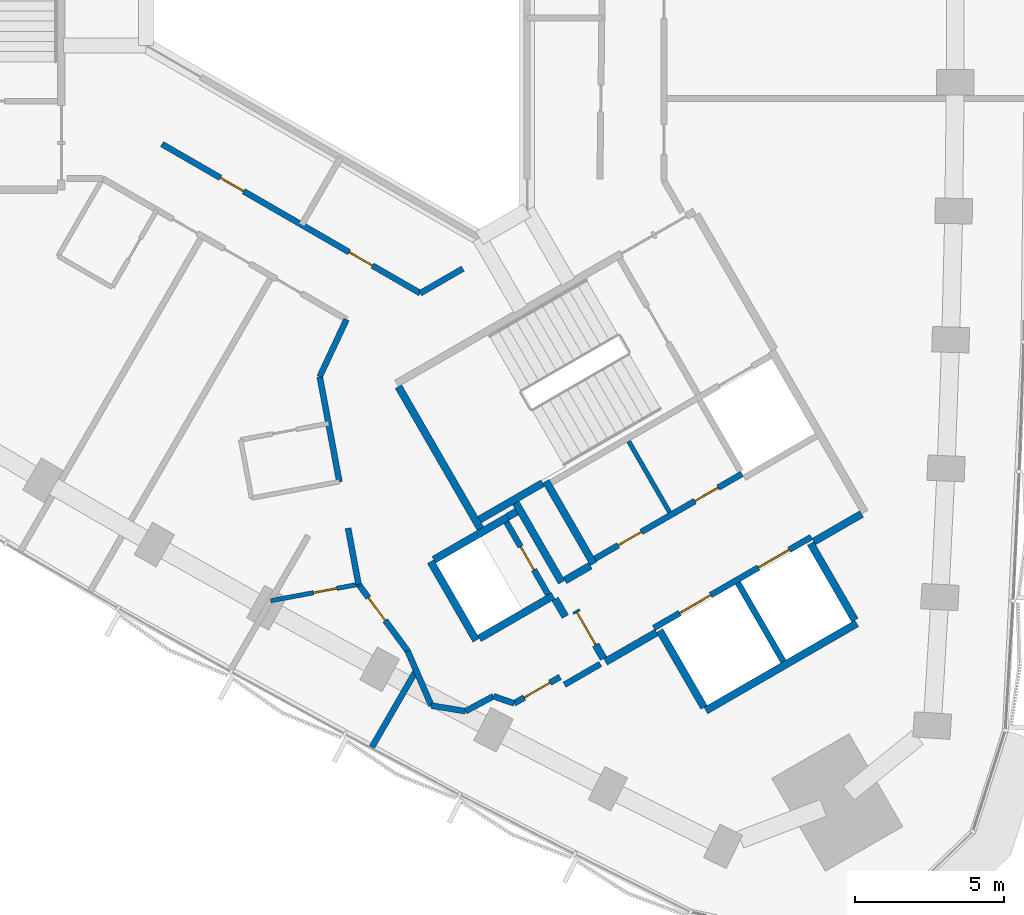
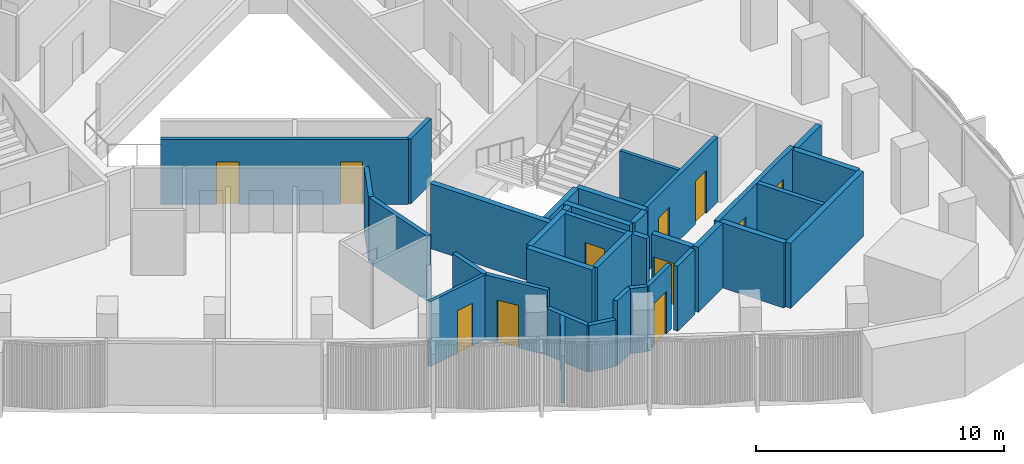
# One storey, part 8 of 14: 35 walls, 11 doors, 11 openings.
"""IFC4 building model written with IfcOpenShell, lengths in metres."""

from ifc_helpers import new_model, si_unit, direction, frame, frame_2d, origin, place, context, subcontext, project, spatial, rectangle, extrude, material, layer, layer_set, type_object, element, fill, save


model = new_model("IFC4")

# Units and contexts
model_context = context("Model", 3, precision=1e-05, world=origin(), true_north=direction((0.0, 1.0)))
body_context = subcontext(model_context, "Body", "Model", "MODEL_VIEW")
ifc_project = project(units=[si_unit("LENGTHUNIT", "METRE"), si_unit("AREAUNIT", "SQUARE_METRE"), si_unit("VOLUMEUNIT", "CUBIC_METRE"), si_unit("PLANEANGLEUNIT", "RADIAN"), si_unit("MASSUNIT", "GRAM", prefix="KILO")], contexts=[model_context])

# Site, building, storey
site_placement = place(None, origin())
site = spatial("IfcSite", under=ifc_project, at=site_placement, CompositionType="ELEMENT")
building_placement = place(site_placement, origin())
building = spatial("IfcBuilding", under=site, at=building_placement, Name="Tamra Quay Hotel Tower", CompositionType="ELEMENT")
storey_placement = place(building_placement, frame((0.0, 0.0, 146.800048828125)))
storey = spatial("IfcBuildingStorey", under=building, at=storey_placement, Name="L36", CompositionType="ELEMENT", Elevation=146.800048828125)

# Wall, openings, doors
ifc_material_1 = material(Name="Concrete M70", Category="concrete")
ifc_layer_1 = layer(ifc_material_1, 0.199951171875)
ifc_layer_set_1 = layer_set([ifc_layer_1], Name="Concrete M70 core wall 200")
wall_type_1 = type_object("IfcWallType", Name="Concrete M70 core wall 200", PredefinedType="SHEAR", material=ifc_layer_set_1)
wall_1_placement = place(storey_placement, frame((9.052490234375, -20.479736328125, 0.0), z_axis=(0.0, 0.0, 1.0), x_axis=(0.866030299012, 0.499991521122, 0.0)))
wall_1 = element("IfcWall", 1, at=wall_1_placement, inside=storey, type_object=wall_type_1, Name="CW2", PredefinedType="SHEAR", context=body_context, shape_type="SweptSolid", body=[
    extrude(rectangle(XDim=6.10009765625, YDim=0.199951171875, at=frame_2d((3.050048828125, 0.0))), origin(), (0.0, 0.0, 1.0), 3.199951171875),
])
opening_1_placement = place(wall_1_placement, frame((1.0, 0.0, 0.0)))
opening_1 = element("IfcOpeningElement", 2, at=opening_1_placement, cuts=wall_1, Name="Opening LD", PredefinedType="OPENING", context=body_context, shape_type="SweptSolid", body=[
    extrude(rectangle(XDim=1.199951171875, YDim=2.10009765625, at=frame_2d((0.60009765625, 1.050048828125))), frame((0.0, 0.10986328125, 0.0), z_axis=(0.0, -1.0, 0.0), x_axis=(1.0, 0.0, 0.0)), (0.0, 0.0, 1.0), 0.219970703125),
])
opening_2_placement = place(wall_1_placement, frame((4.05029296875, 0.0, 0.0)))
opening_2 = element("IfcOpeningElement", 3, at=opening_2_placement, cuts=wall_1, Name="Opening LD", PredefinedType="OPENING", context=body_context, shape_type="SweptSolid", body=[
    extrude(rectangle(XDim=1.199951171875, YDim=2.10009765625, at=frame_2d((0.60009765625, 1.050048828125))), frame((0.0, 0.10986328125, 0.0), z_axis=(0.0, -1.0, 0.0), x_axis=(1.0, 0.0, 0.0)), (0.0, 0.0, 1.0), 0.219970703125),
])
ifc_material_2 = material(Name="Landing door LD 1200 double door sliding")
door_type_1 = type_object("IfcDoorType", Name="Landing door LD 1200 double door sliding", OperationType="DOUBLE_DOOR_SLIDING", PredefinedType="DOOR", material=ifc_material_2)
door_1_placement = place(opening_1_placement, origin())
door_1 = element("IfcDoor", 4, at=door_1_placement, inside=storey, type_object=door_type_1, Name="LD", OperationType="DOUBLE_DOOR_SLIDING", OverallHeight=2.10009765625, OverallWidth=1.199951171875, PredefinedType="DOOR", context=body_context, shape_type="SweptSolid", body=[
    extrude(rectangle(XDim=1.199951171875, YDim=2.10009765625, at=frame_2d((0.60009765625, 1.050048828125))), frame((0.0, 0.02490234375, 0.0), z_axis=(0.0, -1.0, 0.0), x_axis=(1.0, 0.0, 0.0)), (0.0, 0.0, 1.0), 0.050048828125),
])
fill(opening_1, door_1)
door_2_placement = place(opening_2_placement, origin())
door_2 = element("IfcDoor", 5, at=door_2_placement, inside=storey, type_object=door_type_1, Name="LD", OperationType="DOUBLE_DOOR_SLIDING", OverallHeight=2.10009765625, OverallWidth=1.199951171875, PredefinedType="DOOR", context=body_context, shape_type="SweptSolid", body=[
    extrude(rectangle(XDim=1.199951171875, YDim=2.10009765625, at=frame_2d((0.60009765625, 1.050048828125))), frame((0.0, 0.02490234375, 0.0), z_axis=(0.0, -1.0, 0.0), x_axis=(1.0, 0.0, 0.0)), (0.0, 0.0, 1.0), 0.050048828125),
])
fill(opening_2, door_2)

wall_2_placement = place(storey_placement, frame((7.0771484375, -18.156005859375, 0.0), z_axis=(0.0, 0.0, 1.0), x_axis=(0.866038630372, 0.499977090179, 0.0)))
wall_2 = element("IfcWall", 6, at=wall_2_placement, inside=storey, type_object=wall_type_1, Name="CW2", PredefinedType="SHEAR", context=body_context, shape_type="SweptSolid", body=[
    extrude(rectangle(XDim=5.698974609375, YDim=0.199951171875, at=frame_2d((2.849609375, 0.0))), origin(), (0.0, 0.0, 1.0), 3.199951171875),
])
opening_3_placement = place(wall_2_placement, frame((0.89892578125, 0.0, 0.0)))
opening_3 = element("IfcOpeningElement", 7, at=opening_3_placement, cuts=wall_2, Name="Opening D2", PredefinedType="OPENING", context=body_context, shape_type="SweptSolid", body=[
    extrude(rectangle(XDim=0.89990234375, YDim=2.10009765625, at=frame_2d((0.449951171875, 1.050048828125))), frame((0.0, 0.10986328125, 0.0), z_axis=(0.0, -1.0, 0.0), x_axis=(1.0, 0.0, 0.0)), (0.0, 0.0, 1.0), 0.219970703125),
])
opening_4_placement = place(wall_2_placement, frame((3.8740234375, 0.0, 0.0)))
opening_4 = element("IfcOpeningElement", 8, at=opening_4_placement, cuts=wall_2, Name="Opening D2", PredefinedType="OPENING", context=body_context, shape_type="SweptSolid", body=[
    extrude(rectangle(XDim=0.89990234375, YDim=2.10009765625, at=frame_2d((0.449951171875, 1.050048828125))), frame((0.0, 0.10986328125, 0.0), z_axis=(0.0, -1.0, 0.0), x_axis=(1.0, 0.0, 0.0)), (0.0, 0.0, 1.0), 0.219970703125),
])
ifc_material_3 = material(Name="Core door D2 900x2100 LH")
door_type_2 = type_object("IfcDoorType", Name="Core door D2 900x2100 LH", OperationType="NOTDEFINED", PredefinedType="DOOR", material=ifc_material_3)
door_3_placement = place(opening_4_placement, origin())
door_3 = element("IfcDoor", 9, at=door_3_placement, inside=storey, type_object=door_type_2, Name="D2", OperationType="SINGLE_SWING_LEFT", OverallHeight=2.10009765625, OverallWidth=0.89990234375, PredefinedType="DOOR", context=body_context, shape_type="SweptSolid", body=[
    extrude(rectangle(XDim=0.89990234375, YDim=2.10009765625, at=frame_2d((0.449951171875, 1.050048828125))), frame((0.0, 0.02490234375, 0.0), z_axis=(0.0, -1.0, 0.0), x_axis=(1.0, 0.0, 0.0)), (0.0, 0.0, 1.0), 0.050048828125),
])
fill(opening_4, door_3)
ifc_material_4 = material(Name="Core door D2 900x2100 RH")
door_type_3 = type_object("IfcDoorType", Name="Core door D2 900x2100 RH", OperationType="NOTDEFINED", PredefinedType="DOOR", material=ifc_material_4)
door_4_placement = place(opening_3_placement, origin())
door_4 = element("IfcDoor", 10, at=door_4_placement, inside=storey, type_object=door_type_3, Name="D2", OperationType="SINGLE_SWING_RIGHT", OverallHeight=2.10009765625, OverallWidth=0.89990234375, PredefinedType="DOOR", context=body_context, shape_type="SweptSolid", body=[
    extrude(rectangle(XDim=0.89990234375, YDim=2.10009765625, at=frame_2d((0.449951171875, 1.050048828125))), frame((0.0, 0.02490234375, 0.0), z_axis=(0.0, -1.0, 0.0), x_axis=(1.0, 0.0, 0.0)), (0.0, 0.0, 1.0), 0.050048828125),
])
fill(opening_3, door_4)

# Wall
wall_3_placement = place(storey_placement, frame((11.87451171875, -18.967041015625, 0.0), z_axis=(0.0, 0.0, 1.0), x_axis=(0.49998131003, -0.866036194175, 0.0)))
element("IfcWall", 11, at=wall_3_placement, inside=storey, type_object=wall_type_1, Name="CW2", PredefinedType="SHEAR", context=body_context, shape_type="SweptSolid", body=[
    extrude(rectangle(XDim=3.0478515625, YDim=0.199951171875, at=frame_2d((1.52392578125, 0.0))), origin(), (0.0, 0.0, 1.0), 3.199951171875),
])

# Wall, opening, door
wall_4_placement = place(storey_placement, frame((5.50341796875, -19.352294921875, 0.0), z_axis=(0.0, 0.0, 1.0), x_axis=(-0.499986818241, 0.866033014143, 0.0)))
wall_4 = element("IfcWall", 12, at=wall_4_placement, inside=storey, type_object=wall_type_1, Name="CW2", PredefinedType="SHEAR", context=body_context, shape_type="SweptSolid", body=[
    extrude(rectangle(XDim=2.7978515625, YDim=0.199951171875, at=frame_2d((1.39892578125, 0.0))), origin(), (0.0, 0.0, 1.0), 3.199951171875),
])
opening_5_placement = place(wall_4_placement, frame((0.948974609375, 0.0, 0.0)))
opening_5 = element("IfcOpeningElement", 13, at=opening_5_placement, cuts=wall_4, Name="Opening D1", PredefinedType="OPENING", context=body_context, shape_type="SweptSolid", body=[
    extrude(rectangle(XDim=0.89990234375, YDim=2.10009765625, at=frame_2d((0.449951171875, 1.050048828125))), frame((0.0, 0.10986328125, 0.0), z_axis=(0.0, -1.0, 0.0), x_axis=(1.0, 0.0, 0.0)), (0.0, 0.0, 1.0), 0.219970703125),
])
ifc_material_5 = material(Name="Core door D1 900x2100 RH")
door_type_4 = type_object("IfcDoorType", Name="Core door D1 900x2100 RH", OperationType="NOTDEFINED", PredefinedType="DOOR", material=ifc_material_5)
door_5_placement = place(opening_5_placement, origin())
door_5 = element("IfcDoor", 14, at=door_5_placement, inside=storey, type_object=door_type_4, Name="D1", OperationType="SINGLE_SWING_RIGHT", OverallHeight=2.10009765625, OverallWidth=0.89990234375, PredefinedType="DOOR", context=body_context, shape_type="SweptSolid", body=[
    extrude(rectangle(XDim=0.89990234375, YDim=2.10009765625, at=frame_2d((0.449951171875, 1.050048828125))), frame((0.0, 0.02490234375, 0.0), z_axis=(0.0, -1.0, 0.0), x_axis=(1.0, 0.0, 0.0)), (0.0, 0.0, 1.0), 0.050048828125),
])
fill(opening_5, door_5)

# Walls
ifc_layer_2 = layer(ifc_material_1, 0.25)
ifc_layer_set_2 = layer_set([ifc_layer_2], Name="Concrete M70 core wall 250")
wall_type_2 = type_object("IfcWallType", Name="Concrete M70 core wall 250", PredefinedType="SHEAR", material=ifc_layer_set_2)
wall_5_placement = place(storey_placement, frame((15.86474609375, -20.328369140625, 0.0), z_axis=(0.0, 0.0, 1.0), x_axis=(-0.86602852612, -0.499994591916, 0.0)))
element("IfcWall", 15, at=wall_5_placement, inside=storey, type_object=wall_type_2, Name="CW1", PredefinedType="SHEAR", context=body_context, shape_type="SweptSolid", body=[
    extrude(rectangle(XDim=5.85009765625, YDim=0.25, at=frame_2d((2.925048828125, 0.0))), origin(), (0.0, 0.0, 1.0), 3.199951171875),
])
wall_6_placement = place(storey_placement, frame((3.23486328125, -17.15283203125, 0.0), z_axis=(0.0, 0.0, 1.0), x_axis=(-0.500008851346, 0.866020293397, 0.0)))
element("IfcWall", 16, at=wall_6_placement, inside=storey, type_object=wall_type_2, Name="CW1", PredefinedType="SHEAR", context=body_context, shape_type="SweptSolid", body=[
    extrude(rectangle(XDim=5.509765625, YDim=0.25, at=frame_2d((2.7548828125, 0.0))), origin(), (0.0, 0.0, 1.0), 3.199951171875),
])
wall_7_placement = place(storey_placement, frame((7.030517578125, -18.327392578125, 0.0), z_axis=(0.0, 0.0, 1.0), x_axis=(-0.499971222258, 0.866042017984, 0.0)))
element("IfcWall", 17, at=wall_7_placement, inside=storey, type_object=wall_type_2, Name="CW1", PredefinedType="SHEAR", context=body_context, shape_type="SweptSolid", body=[
    extrude(rectangle(XDim=3.199951171875, YDim=0.25, at=frame_2d((1.60009765625, 0.0))), origin(), (0.0, 0.0, 1.0), 3.199951171875),
])
for number, where, z_axis, x_axis, name in (
    (18, (14.314697265625, -17.643798828125, 0.0), (0.0, 0.0, 1.0), (0.500023226632, -0.866011993467, 0.0), "CW1"),
    (19, (10.73583984375, -23.144775390625, 0.0), (0.0, 0.0, 1.0), (-0.500023226632, 0.866011993467, 0.0), "CW1"),
):
    element("IfcWall", number, at=place(storey_placement, frame(where, z_axis=z_axis, x_axis=x_axis)), inside=storey, type_object=wall_type_2, Name=name, PredefinedType="SHEAR", context=body_context, shape_type="SweptSolid", body=[
        extrude(rectangle(XDim=2.974365234375, YDim=0.25, at=frame_2d((1.4873046875, 0.0))), origin(), (0.0, 0.0, 1.0), 3.199951171875),
    ])
wall_8_placement = place(storey_placement, frame((3.085205078125, -20.893798828125, 0.0), z_axis=(0.0, 0.0, 1.0), x_axis=(-0.499978833458, 0.866037623948, 0.0)))
element("IfcWall", 20, at=wall_8_placement, inside=storey, type_object=wall_type_2, Name="CW1", PredefinedType="SHEAR", context=body_context, shape_type="SweptSolid", body=[
    extrude(rectangle(XDim=3.050048828125, YDim=0.25, at=frame_2d((1.52490234375, 0.0))), origin(), (0.0, 0.0, 1.0), 3.199951171875),
])
wall_9_placement = place(storey_placement, frame((1.6689453125, -18.189697265625, 0.0), z_axis=(0.0, 0.0, 1.0), x_axis=(0.866042235819, 0.499970844928, 0.0)))
element("IfcWall", 21, at=wall_9_placement, inside=storey, type_object=wall_type_2, Name="CW1", PredefinedType="SHEAR", context=body_context, shape_type="SweptSolid", body=[
    extrude(rectangle(XDim=2.864501953125, YDim=0.25, at=frame_2d((1.43212890625, 0.0))), origin(), (0.0, 0.0, 1.0), 3.199951171875),
])
wall_10_placement = place(storey_placement, frame((5.6748046875, -19.39892578125, 0.0), z_axis=(0.0, 0.0, 1.0), x_axis=(-0.866026637627, -0.499997862916, 0.0)))
element("IfcWall", 22, at=wall_10_placement, inside=storey, type_object=wall_type_2, Name="CW1", PredefinedType="SHEAR", context=body_context, shape_type="SweptSolid", body=[
    extrude(rectangle(XDim=2.86474609375, YDim=0.25, at=frame_2d((1.432373046875, 0.0))), origin(), (0.0, 0.0, 1.0), 3.199951171875),
])
wall_11_placement = place(storey_placement, frame((4.414306640625, -16.275634765625, 0.0), z_axis=(0.0, 0.0, 1.0), x_axis=(0.500003324108, -0.866023484601, 0.0)))
element("IfcWall", 23, at=wall_11_placement, inside=storey, type_object=wall_type_2, Name="CW1", PredefinedType="SHEAR", context=body_context, shape_type="SweptSolid", body=[
    extrude(rectangle(XDim=3.0849609375, YDim=0.25, at=frame_2d((1.54248046875, 0.0))), origin(), (0.0, 0.0, 1.0), 3.199951171875),
])
wall_12_placement = place(storey_placement, frame((5.322021484375, -15.618896484375, 0.0), z_axis=(0.0, 0.0, 1.0), x_axis=(-0.866026229868, -0.499998569178, 0.0)))
element("IfcWall", 24, at=wall_12_placement, inside=storey, type_object=wall_type_2, Name="CW1", PredefinedType="SHEAR", context=body_context, shape_type="SweptSolid", body=[
    extrude(rectangle(XDim=2.44921875, YDim=0.25, at=frame_2d((1.224609375, 0.0))), origin(), (0.0, 0.0, 1.0), 3.199951171875),
])
wall_13_placement = place(storey_placement, frame((9.139892578125, -20.63134765625, 0.0), z_axis=(0.0, 0.0, 1.0), x_axis=(-0.866043531843, -0.499968599967, 0.0)))
element("IfcWall", 25, at=wall_13_placement, inside=storey, type_object=wall_type_2, Name="CW1", PredefinedType="SHEAR", context=body_context, shape_type="SweptSolid", body=[
    extrude(rectangle(XDim=1.974853515625, YDim=0.25, at=frame_2d((0.9873046875, 0.0))), origin(), (0.0, 0.0, 1.0), 3.199951171875),
])
wall_14_placement = place(storey_placement, frame((16.024658203125, -16.656494140625, 0.0), z_axis=(0.0, 0.0, 1.0), x_axis=(-0.866016279763, -0.500015802937, 0.0)))
element("IfcWall", 26, at=wall_14_placement, inside=storey, type_object=wall_type_2, Name="CW1", PredefinedType="SHEAR", context=body_context, shape_type="SweptSolid", body=[
    extrude(rectangle(XDim=1.84912109375, YDim=0.25, at=frame_2d((0.924560546875, 0.0))), origin(), (0.0, 0.0, 1.0), 3.199951171875),
])

# Wall, opening, door
wall_15_placement = place(storey_placement, frame((7.3671875, -21.51025390625, 0.0), z_axis=(0.0, 0.0, 1.0), x_axis=(-0.499983108224, 0.866035156036, 0.0)))
wall_15 = element("IfcWall", 27, at=wall_15_placement, inside=storey, type_object=wall_type_2, Name="CW1", PredefinedType="SHEAR", context=body_context, shape_type="SweptSolid", body=[
    extrude(rectangle(XDim=1.86474609375, YDim=0.25, at=frame_2d((0.932373046875, 0.0))), origin(), (0.0, 0.0, 1.0), 3.199951171875),
])
opening_6_placement = place(wall_15_placement, frame((0.53466796875, 0.0, 0.0)))
opening_6 = element("IfcOpeningElement", 28, at=opening_6_placement, cuts=wall_15, Name="Opening FD3", PredefinedType="OPENING", context=body_context, shape_type="SweptSolid", body=[
    extrude(rectangle(XDim=1.25, YDim=2.10009765625, at=frame_2d((0.625, 1.050048828125))), frame((0.0, 0.135009765625, 0.0), z_axis=(0.0, -1.0, 0.0), x_axis=(1.0, 0.0, 0.0)), (0.0, 0.0, 1.0), 0.27001953125),
])
ifc_material_6 = material(Name="Core door FD3 1250x2100 LH")
door_type_5 = type_object("IfcDoorType", Name="Core door FD3 1250x2100 LH", OperationType="NOTDEFINED", PredefinedType="DOOR", material=ifc_material_6)
door_6_placement = place(opening_6_placement, origin())
door_6 = element("IfcDoor", 29, at=door_6_placement, inside=storey, type_object=door_type_5, Name="FD3", OperationType="SINGLE_SWING_LEFT", OverallHeight=2.10009765625, OverallWidth=1.25, PredefinedType="DOOR", context=body_context, shape_type="SweptSolid", body=[
    extrude(rectangle(XDim=1.25, YDim=2.10009765625, at=frame_2d((0.625, 1.050048828125))), frame((0.0, 0.02490234375, 0.0), z_axis=(0.0, -1.0, 0.0), x_axis=(1.0, 0.0, 0.0)), (0.0, 0.0, 1.0), 0.050048828125),
])
fill(opening_6, door_6)

# Walls
wall_16_placement = place(storey_placement, frame((6.0654296875, -18.884765625, 0.0), z_axis=(0.0, 0.0, 1.0), x_axis=(0.866017078145, 0.500014420154, 0.0)))
element("IfcWall", 30, at=wall_16_placement, inside=storey, type_object=wall_type_2, Name="CW1", PredefinedType="SHEAR", context=body_context, shape_type="SweptSolid", body=[
    extrude(rectangle(XDim=0.9892578125, YDim=0.25, at=frame_2d((0.49462890625, 0.0))), origin(), (0.0, 0.0, 1.0), 3.199951171875),
])
wall_17_placement = place(storey_placement, frame((6.07958984375, -20.100341796875, 0.0), z_axis=(0.0, 0.0, 1.0), x_axis=(-0.500051773299, 0.865995510393, 0.0)))
element("IfcWall", 31, at=wall_17_placement, inside=storey, type_object=wall_type_2, Name="CW1", PredefinedType="SHEAR", context=body_context, shape_type="SweptSolid", body=[
    extrude(rectangle(XDim=0.6845703125, YDim=0.25, at=frame_2d((0.34228515625, 0.0))), origin(), (0.0, 0.0, 1.0), 3.199951171875),
])
wall_18_placement = place(storey_placement, frame((4.144775390625, -16.748779296875, 0.0), z_axis=(0.0, 0.0, 1.0), x_axis=(0.866185586049, 0.49972245349, 0.0)))
element("IfcWall", 32, at=wall_18_placement, inside=storey, type_object=wall_type_2, Name="CW1", PredefinedType="SHEAR", context=body_context, shape_type="SweptSolid", body=[
    extrude(rectangle(XDim=0.344482421875, YDim=0.25, at=frame_2d((0.17236328125, 0.0))), origin(), (0.0, 0.0, 1.0), 3.199951171875),
])
ifc_material_7 = material(Name="Blockwork", Category="masonry")
ifc_layer_3 = layer(ifc_material_7, 0.14990234375)
ifc_layer_set_3 = layer_set([ifc_layer_3], Name="Core partition block 150")
wall_type_3 = type_object("IfcWallType", Name="Core partition block 150", PredefinedType="PARTITIONING", material=ifc_layer_set_3)
wall_19_placement = place(storey_placement, frame((8.20654296875, -14.214111328125, 0.0), z_axis=(0.0, 0.0, 1.0), x_axis=(0.50002746344, -0.86600954718, 0.0)))
element("IfcWall", 33, at=wall_19_placement, inside=storey, type_object=wall_type_3, Name="CP1", PredefinedType="PARTITIONING", context=body_context, shape_type="SweptSolid", body=[
    extrude(rectangle(XDim=2.748291015625, YDim=0.14990234375, at=frame_2d((1.3740234375, 0.0))), origin(), (0.0, 0.0, 1.0), 3.199951171875),
])

# Wall, openings, doors
ifc_material_8 = material(Name="Partition corridor wall")
ifc_layer_4 = layer(ifc_material_8, 0.199951171875)
ifc_layer_set_4 = layer_set([ifc_layer_4], Name="Partition corridor wall")
wall_type_4 = type_object("IfcWallType", Name="Partition corridor wall", PredefinedType="PARTITIONING", material=ifc_layer_set_4)
wall_20_placement = place(storey_placement, frame((-7.455078125, -4.239990234375, 0.0), z_axis=(0.0, 0.0, 1.0), x_axis=(0.866015783746, -0.500016662025, 0.0)))
wall_20 = element("IfcWall", 34, at=wall_20_placement, inside=storey, type_object=wall_type_4, Name="W-C", PredefinedType="PARTITIONING", context=body_context, shape_type="SweptSolid", body=[
    extrude(rectangle(XDim=10.008544921875, YDim=0.199951171875, at=frame_2d((5.00439453125, 0.0))), origin(), (0.0, 0.0, 1.0), 3.199951171875),
])
opening_7_placement = place(wall_20_placement, frame((2.261962890625, 0.0, 0.0)))
opening_7 = element("IfcOpeningElement", 35, at=opening_7_placement, cuts=wall_20, Name="Opening L36-D022", PredefinedType="OPENING", context=body_context, shape_type="SweptSolid", body=[
    extrude(rectangle(XDim=0.89990234375, YDim=2.10009765625, at=frame_2d((0.449951171875, 1.050048828125))), frame((0.0, 0.10986328125, 0.0), z_axis=(0.0, -1.0, 0.0), x_axis=(1.0, 0.0, 0.0)), (0.0, 0.0, 1.0), 0.219970703125),
])
opening_8_placement = place(wall_20_placement, frame((7.254150390625, 0.0, 0.0)))
opening_8 = element("IfcOpeningElement", 36, at=opening_8_placement, cuts=wall_20, Name="Opening L36-D023", PredefinedType="OPENING", context=body_context, shape_type="SweptSolid", body=[
    extrude(rectangle(XDim=0.89990234375, YDim=2.10009765625, at=frame_2d((0.449951171875, 1.050048828125))), frame((0.0, 0.10986328125, 0.0), z_axis=(0.0, -1.0, 0.0), x_axis=(1.0, 0.0, 0.0)), (0.0, 0.0, 1.0), 0.219970703125),
])
ifc_material_9 = material(Name="Door service room 900x2100")
door_type_6 = type_object("IfcDoorType", Name="Door service room 900x2100", OperationType="NOTDEFINED", PredefinedType="DOOR", material=ifc_material_9)
door_7_placement = place(opening_7_placement, origin())
door_7 = element("IfcDoor", 37, at=door_7_placement, inside=storey, type_object=door_type_6, Name="L36-D022", OperationType="SINGLE_SWING_LEFT", OverallHeight=2.10009765625, OverallWidth=0.89990234375, PredefinedType="DOOR", context=body_context, shape_type="SweptSolid", body=[
    extrude(rectangle(XDim=0.89990234375, YDim=2.10009765625, at=frame_2d((0.449951171875, 1.050048828125))), frame((0.0, 0.02490234375, 0.0), z_axis=(0.0, -1.0, 0.0), x_axis=(1.0, 0.0, 0.0)), (0.0, 0.0, 1.0), 0.050048828125),
])
fill(opening_7, door_7)
door_8_placement = place(opening_8_placement, origin())
door_8 = element("IfcDoor", 38, at=door_8_placement, inside=storey, type_object=door_type_6, Name="L36-D023", OperationType="SINGLE_SWING_LEFT", OverallHeight=2.10009765625, OverallWidth=0.89990234375, PredefinedType="DOOR", context=body_context, shape_type="SweptSolid", body=[
    extrude(rectangle(XDim=0.89990234375, YDim=2.10009765625, at=frame_2d((0.449951171875, 1.050048828125))), frame((0.0, 0.02490234375, 0.0), z_axis=(0.0, -1.0, 0.0), x_axis=(1.0, 0.0, 0.0)), (0.0, 0.0, 1.0), 0.050048828125),
])
fill(opening_8, door_8)

# Walls
wall_21_placement = place(storey_placement, frame((-2.162109375, -12.0419921875, 0.0), z_axis=(0.0, 0.0, 1.0), x_axis=(0.183572226488, -0.983006224631, 0.0)))
element("IfcWall", 39, at=wall_21_placement, inside=storey, type_object=wall_type_4, Name="W-C", PredefinedType="PARTITIONING", context=body_context, shape_type="SweptSolid", body=[
    extrude(rectangle(XDim=3.6015625, YDim=0.199951171875, at=frame_2d((1.80078125, 0.0))), origin(), (0.0, 0.0, 1.0), 3.199951171875),
])
wall_22_placement = place(storey_placement, frame((-2.162109375, -12.041015625, 0.0), z_axis=(0.0, 0.0, 1.0), x_axis=(0.424280226728, 0.905530943264, 0.0)))
element("IfcWall", 40, at=wall_22_placement, inside=storey, type_object=wall_type_4, Name="W-C", PredefinedType="PARTITIONING", context=body_context, shape_type="SweptSolid", body=[
    extrude(rectangle(XDim=2.116943359375, YDim=0.199951171875, at=frame_2d((1.05859375, 0.0))), origin(), (0.0, 0.0, 1.0), 3.199951171875),
])
wall_23_placement = place(storey_placement, frame((-1.211669921875, -17.13134765625, 0.0), z_axis=(0.0, 0.0, 1.0), x_axis=(0.183680924698, -0.982985919483, 0.0)))
element("IfcWall", 41, at=wall_23_placement, inside=storey, type_object=wall_type_4, Name="W-C", PredefinedType="PARTITIONING", context=body_context, shape_type="SweptSolid", body=[
    extrude(rectangle(XDim=1.916748046875, YDim=0.199951171875, at=frame_2d((0.95849609375, 0.0))), origin(), (0.0, 0.0, 1.0), 3.199951171875),
])

# Wall, opening, door
wall_24_placement = place(storey_placement, frame((-0.85791015625, -19.01611328125, 0.0), z_axis=(0.0, 0.0, 1.0), x_axis=(0.593123867414, -0.805111220829, 0.0)))
wall_24 = element("IfcWall", 42, at=wall_24_placement, inside=storey, type_object=wall_type_4, Name="W-C", PredefinedType="PARTITIONING", context=body_context, shape_type="SweptSolid", body=[
    extrude(rectangle(XDim=2.769775390625, YDim=0.199951171875, at=frame_2d((1.384765625, 0.0))), origin(), (0.0, 0.0, 1.0), 3.199951171875),
])
opening_9_placement = place(wall_24_placement, frame((0.554931640625, 0.0, 0.0)))
opening_9 = element("IfcOpeningElement", 43, at=opening_9_placement, cuts=wall_24, Name="Opening L36-D015", PredefinedType="OPENING", context=body_context, shape_type="SweptSolid", body=[
    extrude(rectangle(XDim=0.949951171875, YDim=2.10009765625, at=frame_2d((0.47509765625, 1.050048828125))), frame((0.0, 0.10986328125, 0.0), z_axis=(0.0, -1.0, 0.0), x_axis=(1.0, 0.0, 0.0)), (0.0, 0.0, 1.0), 0.219970703125),
])
ifc_material_10 = material(Name="Door guest room 950x2100")
door_type_7 = type_object("IfcDoorType", Name="Door guest room 950x2100", OperationType="NOTDEFINED", PredefinedType="DOOR", material=ifc_material_10)
door_9_placement = place(opening_9_placement, frame((0.949951171875, 0.0, 0.0), z_axis=(0.0, 0.0, 1.0), x_axis=(-1.0, 0.0, 0.0)))
door_9 = element("IfcDoor", 44, at=door_9_placement, inside=storey, type_object=door_type_7, Name="L36-D015", OperationType="SINGLE_SWING_LEFT", OverallHeight=2.10009765625, OverallWidth=0.949951171875, PredefinedType="DOOR", context=body_context, shape_type="SweptSolid", body=[
    extrude(rectangle(XDim=0.949951171875, YDim=2.10009765625, at=frame_2d((0.47509765625, 1.050048828125))), frame((0.0, 0.02490234375, 0.0), z_axis=(0.0, -1.0, 0.0), x_axis=(1.0, 0.0, 0.0)), (0.0, 0.0, 1.0), 0.050048828125),
])
fill(opening_9, door_9)

# Walls
wall_25_placement = place(storey_placement, frame((0.784912109375, -21.24609375, 0.0), z_axis=(0.0, 0.0, 1.0), x_axis=(0.398864077761, -0.917010058545, 0.0)))
element("IfcWall", 45, at=wall_25_placement, inside=storey, type_object=wall_type_4, Name="W-C", PredefinedType="PARTITIONING", context=body_context, shape_type="SweptSolid", body=[
    extrude(rectangle(XDim=2.005859375, YDim=0.199951171875, at=frame_2d((1.0029296875, 0.0))), origin(), (0.0, 0.0, 1.0), 2.300048828125),
])
wall_26_placement = place(storey_placement, frame((1.2119140625, -9.2451171875, 0.0), z_axis=(0.0, 0.0, 1.0), x_axis=(0.86593636949, 0.500154180222, 0.0)))
element("IfcWall", 46, at=wall_26_placement, inside=storey, type_object=wall_type_4, Name="W-C", PredefinedType="PARTITIONING", context=body_context, shape_type="SweptSolid", body=[
    extrude(rectangle(XDim=1.64794921875, YDim=0.199951171875, at=frame_2d((0.823974609375, 0.0))), origin(), (0.0, 0.0, 1.0), 3.199951171875),
])
wall_27_placement = place(storey_placement, frame((1.583984375, -23.0859375, 0.0), z_axis=(0.0, 0.0, 1.0), x_axis=(0.986654221629, -0.162829502674, 0.0)))
element("IfcWall", 47, at=wall_27_placement, inside=storey, type_object=wall_type_4, Name="W-C", PredefinedType="PARTITIONING", context=body_context, shape_type="SweptSolid", body=[
    extrude(rectangle(XDim=1.160400390625, YDim=0.199951171875, at=frame_2d((0.580078125, 0.0))), origin(), (0.0, 0.0, 1.0), 2.300048828125),
])
wall_28_placement = place(storey_placement, frame((2.72998046875, -23.27490234375, 0.0), z_axis=(0.0, 0.0, 1.0), x_axis=(0.880927165636, 0.473251866182, 0.0)))
element("IfcWall", 48, at=wall_28_placement, inside=storey, type_object=wall_type_4, Name="W-C", PredefinedType="PARTITIONING", context=body_context, shape_type="SweptSolid", body=[
    extrude(rectangle(XDim=1.064697265625, YDim=0.199951171875, at=frame_2d((0.5322265625, 0.0))), origin(), (0.0, 0.0, 1.0), 3.199951171875),
])
wall_29_placement = place(storey_placement, frame((3.66796875, -22.77099609375, 0.0), z_axis=(0.0, 0.0, 1.0), x_axis=(0.944689393684, -0.327966384652, 0.0)))
element("IfcWall", 49, at=wall_29_placement, inside=storey, type_object=wall_type_4, Name="W-C", PredefinedType="PARTITIONING", context=body_context, shape_type="SweptSolid", body=[
    extrude(rectangle(XDim=0.734619140625, YDim=0.199951171875, at=frame_2d((0.3671875, 0.0))), origin(), (0.0, 0.0, 1.0), 3.199951171875),
])

# Wall, opening, door
wall_30_placement = place(storey_placement, frame((4.362060546875, -23.011962890625, 0.0), z_axis=(0.0, 0.0, 1.0), x_axis=(0.866692617793, 0.49884256661, 0.0)))
wall_30 = element("IfcWall", 50, at=wall_30_placement, inside=storey, type_object=wall_type_4, Name="W-C", PredefinedType="PARTITIONING", context=body_context, shape_type="SweptSolid", body=[
    extrude(rectangle(XDim=1.778076171875, YDim=0.199951171875, at=frame_2d((0.88916015625, 0.0))), origin(), (0.0, 0.0, 1.0), 3.199951171875),
])
opening_10_placement = place(wall_30_placement, frame((0.388916015625, 0.0, 0.0)))
opening_10 = element("IfcOpeningElement", 51, at=opening_10_placement, cuts=wall_30, Name="Opening L36-D017", PredefinedType="OPENING", context=body_context, shape_type="SweptSolid", body=[
    extrude(rectangle(XDim=1.0, YDim=2.10009765625, at=frame_2d((0.5, 1.050048828125))), frame((0.0, 0.10986328125, 0.0), z_axis=(0.0, -1.0, 0.0), x_axis=(1.0, 0.0, 0.0)), (0.0, 0.0, 1.0), 0.219970703125),
])
ifc_material_11 = material(Name="Door guest room 1000x2100")
door_type_8 = type_object("IfcDoorType", Name="Door guest room 1000x2100", OperationType="NOTDEFINED", PredefinedType="DOOR", material=ifc_material_11)
door_10_placement = place(opening_10_placement, frame((1.0, 0.0, 0.0), z_axis=(0.0, 0.0, 1.0), x_axis=(-1.0, 0.0, 0.0)))
door_10 = element("IfcDoor", 52, at=door_10_placement, inside=storey, type_object=door_type_8, Name="L36-D017", OperationType="SINGLE_SWING_LEFT", OverallHeight=2.10009765625, OverallWidth=1.0, PredefinedType="DOOR", context=body_context, shape_type="SweptSolid", body=[
    extrude(rectangle(XDim=1.0, YDim=2.10009765625, at=frame_2d((0.5, 1.050048828125))), frame((0.0, 0.02490234375, 0.0), z_axis=(0.0, -1.0, 0.0), x_axis=(1.0, 0.0, 0.0)), (0.0, 0.0, 1.0), 0.050048828125),
])
fill(opening_10, door_10)

# Wall
wall_31_placement = place(storey_placement, frame((6.053955078125, -22.385009765625, 0.0), z_axis=(0.0, 0.0, 1.0), x_axis=(0.86593101922, 0.500163443238, 0.0)))
element("IfcWall", 53, at=wall_31_placement, inside=storey, type_object=wall_type_4, Name="W-C", PredefinedType="PARTITIONING", context=body_context, shape_type="SweptSolid", body=[
    extrude(rectangle(XDim=1.3896484375, YDim=0.199951171875, at=frame_2d((0.69482421875, 0.0))), origin(), (0.0, 0.0, 1.0), 3.199951171875),
])

# Wall, opening, door
ifc_material_12 = material(Name="Partition en-suite wall")
ifc_layer_5 = layer(ifc_material_12, 0.14990234375)
ifc_layer_set_5 = layer_set([ifc_layer_5], Name="Partition en-suite wall")
wall_type_5 = type_object("IfcWallType", Name="Partition en-suite wall", PredefinedType="PARTITIONING", material=ifc_layer_set_5)
wall_32_placement = place(storey_placement, frame((-3.806884765625, -19.56591796875, 0.0), z_axis=(0.0, 0.0, 1.0), x_axis=(0.982987155193, 0.183674311555, 0.0)))
wall_32 = element("IfcWall", 54, at=wall_32_placement, inside=storey, type_object=wall_type_5, Name="W-E", PredefinedType="PARTITIONING", context=body_context, shape_type="SweptSolid", body=[
    extrude(rectangle(XDim=3.0, YDim=0.14990234375, at=frame_2d((1.5, 0.0))), origin(), (0.0, 0.0, 1.0), 3.199951171875),
])
opening_11_placement = place(wall_32_placement, frame((1.4599609375, 0.0, 0.0)))
opening_11 = element("IfcOpeningElement", 55, at=opening_11_placement, cuts=wall_32, Name="Opening L36-D016", PredefinedType="OPENING", context=body_context, shape_type="SweptSolid", body=[
    extrude(rectangle(XDim=0.800048828125, YDim=2.10009765625, at=frame_2d((0.39990234375, 1.050048828125))), frame((0.0, 0.0849609375, 0.0), z_axis=(0.0, -1.0, 0.0), x_axis=(1.0, 0.0, 0.0)), (0.0, 0.0, 1.0), 0.169921875),
])
ifc_material_13 = material(Name="Door en-suite 800x2100")
door_type_9 = type_object("IfcDoorType", Name="Door en-suite 800x2100", OperationType="NOTDEFINED", PredefinedType="DOOR", material=ifc_material_13)
door_11_placement = place(opening_11_placement, frame((0.800048828125, 0.0, 0.0), z_axis=(0.0, 0.0, 1.0), x_axis=(-1.0, 0.0, 0.0)))
door_11 = element("IfcDoor", 56, at=door_11_placement, inside=storey, type_object=door_type_9, Name="L36-D016", OperationType="SINGLE_SWING_LEFT", OverallHeight=2.10009765625, OverallWidth=0.800048828125, PredefinedType="DOOR", context=body_context, shape_type="SweptSolid", body=[
    extrude(rectangle(XDim=0.800048828125, YDim=2.10009765625, at=frame_2d((0.39990234375, 1.050048828125))), frame((0.0, 0.02490234375, 0.0), z_axis=(0.0, -1.0, 0.0), x_axis=(1.0, 0.0, 0.0)), (0.0, 0.0, 1.0), 0.050048828125),
])
fill(opening_11, door_11)

# Wall
ifc_material_14 = material(Name="Partition party wall")
ifc_layer_6 = layer(ifc_material_14, 0.199951171875)
ifc_layer_set_6 = layer_set([ifc_layer_6], Name="Partition party wall")
wall_type_6 = type_object("IfcWallType", Name="Partition party wall", PredefinedType="PARTITIONING", material=ifc_layer_set_6)
wall_33_placement = place(storey_placement, frame((-0.42529296875, -24.504638671875, 0.0), z_axis=(0.0, 0.0, 1.0), x_axis=(0.499915194772, 0.86607436057, 0.0)))
element("IfcWall", 57, at=wall_33_placement, inside=storey, type_object=wall_type_6, Name="W-P", PredefinedType="PARTITIONING", context=body_context, shape_type="SweptSolid", body=[
    extrude(rectangle(XDim=2.9970703125, YDim=0.199951171875, at=frame_2d((1.49853515625, 0.0))), origin(), (0.0, 0.0, 1.0), 2.300048828125),
])

save(model, "model.ifc")
